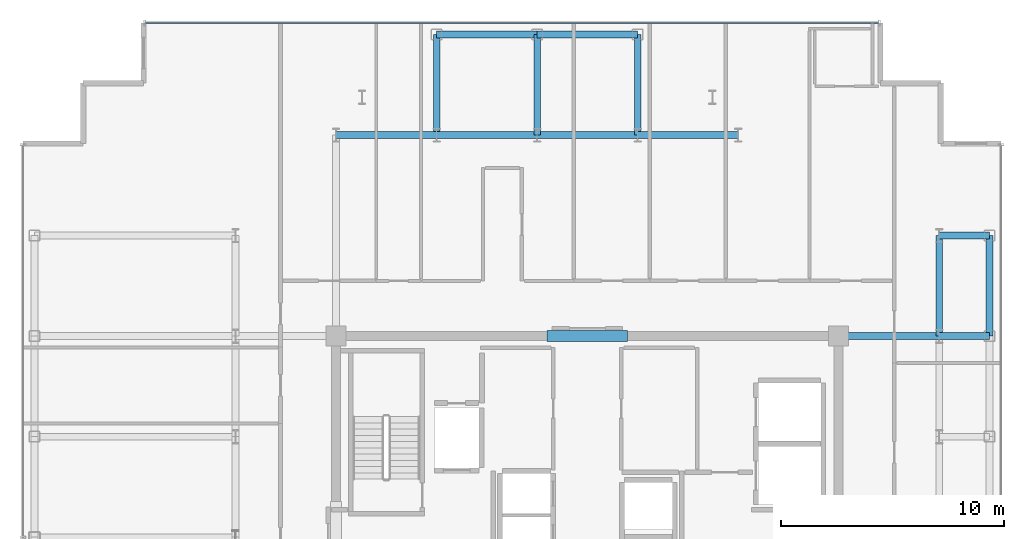
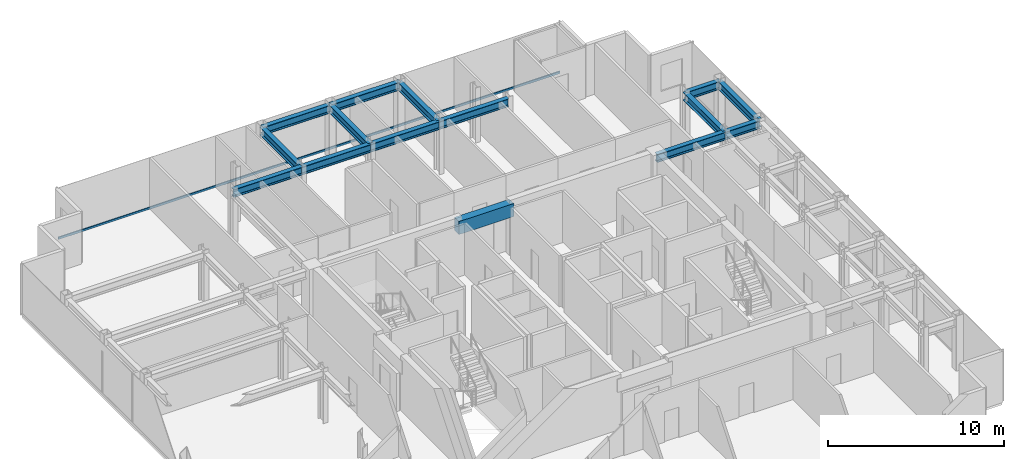
# One storey, part 10 of 17: 15 beams, 1 member, 1 element without a shape of its own.
"""IFC4 building model written with IfcOpenShell, lengths in metres."""

from ifc_helpers import new_model, si_unit, direction, frame, origin, origin_2d, place, context, subcontext, project, spatial, rectangle, hollow_rectangle, i_section, extrude, source, transform, mapped, material, layer, layer_set, material_profile, profile_set, type_object, element, aggregate, save


model = new_model("IFC4")

# Units and contexts
model_context = context("Model", 3, precision=1e-05, world=origin(), true_north=direction((0.0, 1.0)))
body_context = subcontext(model_context, "Body", "Model", "MODEL_VIEW")
ifc_project = project(units=[si_unit("LENGTHUNIT", "METRE"), si_unit("AREAUNIT", "SQUARE_METRE"), si_unit("VOLUMEUNIT", "CUBIC_METRE"), si_unit("PLANEANGLEUNIT", "RADIAN"), si_unit("MASSUNIT", "GRAM", prefix="KILO")], contexts=[model_context])

# Site, building, storey
site_placement = place(None, origin())
site = spatial("IfcSite", under=ifc_project, at=site_placement, CompositionType="ELEMENT")
building_placement = place(site_placement, origin())
building = spatial("IfcBuilding", under=site, at=building_placement, Name="Nefas-Gora Pilgrimage Tower", CompositionType="ELEMENT")
storey_placement = place(building_placement, frame((0.0, 0.0, 341.39990234375)))
storey = spatial("IfcBuildingStorey", under=building, at=storey_placement, Name="L86", CompositionType="ELEMENT", Elevation=341.39990234375)

# Beams
ifc_material_1 = material(Name="Concrete C50/60", Category="concrete")
ifc_material_profile_1 = material_profile(ifc_material_1, rectangle(XDim=0.5, YDim=0.89990234375, at=origin_2d()), Name="RC 500x900")
ifc_profile_set_1 = profile_set([ifc_material_profile_1], Name="Concrete C50/60")
beam_type_1 = type_object("IfcBeamType", Name="BM-LIN-RC900", PredefinedType="LINTEL", material=ifc_profile_set_1)
shared_shape_1 = source(origin(), body_context, "Body", "SweptSolid", [
    extrude(rectangle(XDim=0.5, YDim=0.89990234375, at=origin_2d()), origin(), (0.0, 0.0, 1.0), 3.60009765625),
])
beam_placement = place(storey_placement, frame((-1.800048828125, 9.0, 3.10009765625), z_axis=(1.0, 0.0, 0.0), x_axis=(0.0, 1.0, 0.0)))
element("IfcBeam", 1, at=beam_placement, inside=storey, type_object=beam_type_1, Name="L86 Core Coupling Lintel Beam N", PredefinedType="LINTEL", context=body_context, shape_type="MappedRepresentation", body=[
    mapped(shared_shape_1, transform((0.0, 0.0, 0.0), x_axis=(1.0, 0.0, 0.0), y_axis=(0.0, 1.0, 0.0), z_axis=(0.0, 0.0, 1.0), scale=1.0)),
])
ifc_material_2 = material(Name="Steel S355", Category="steel")
ifc_material_profile_2 = material_profile(ifc_material_2, i_section(OverallWidth=0.300048828125, OverallDepth=0.550048828125, WebThickness=0.014892578125, FlangeThickness=0.029052734375, FilletRadius=0.027099609375, at=origin_2d()), Name="HEB 550")
ifc_profile_set_2 = profile_set([ifc_material_profile_2], Name="Steel S355")
beam_type_2 = type_object("IfcBeamType", Name="BM-SPN-HEB400", PredefinedType="SPANDREL", material=ifc_profile_set_2)
shared_shape_2 = source(origin(), body_context, "Body", "SweptSolid", [
    extrude(i_section(OverallWidth=0.300048828125, OverallDepth=0.550048828125, WebThickness=0.014892578125, FlangeThickness=0.029052734375, FilletRadius=0.027099609375, at=origin_2d()), origin(), (0.0, 0.0, 1.0), 4.5),
])
for number, where, z_axis, x_axis, name in (
    (2, (-6.75, 22.5, 3.275146484375), (1.0, 0.0, 0.0), (0.0, 1.0, 0.0), "L86 SP-04 beam"),
    (3, (-2.25, 22.5, 3.275146484375), (1.0, 0.0, 0.0), (0.0, 1.0, 0.0), "L86 SP-04 beam"),
    (4, (18.0, 9.0, 3.275146484375), (0.0, 1.0, 0.0), (-1.0, 0.0, 0.0), "L86 SP-04 beam"),
):
    element("IfcBeam", number, at=place(storey_placement, frame(where, z_axis=z_axis, x_axis=x_axis)), inside=storey, type_object=beam_type_2, Name=name, PredefinedType="SPANDREL", context=body_context, shape_type="MappedRepresentation", body=[
        mapped(shared_shape_2, transform((0.0, 0.0, 0.0), x_axis=(1.0, 0.0, 0.0), y_axis=(0.0, 1.0, 0.0), z_axis=(0.0, 0.0, 1.0), scale=1.0)),
    ])
ifc_material_profile_3 = material_profile(ifc_material_2, i_section(OverallWidth=0.300048828125, OverallDepth=0.550048828125, WebThickness=0.014892578125, FlangeThickness=0.029052734375, FilletRadius=0.027099609375, at=origin_2d()), Name="HEB 550")
ifc_profile_set_3 = profile_set([ifc_material_profile_3], Name="Steel S355")
beam_type_3 = type_object("IfcBeamType", Name="BM-GIR-HEB550", PredefinedType="BEAM", material=ifc_profile_set_3)
shared_shape_3 = source(origin(), body_context, "Body", "SweptSolid", [
    extrude(i_section(OverallWidth=0.300048828125, OverallDepth=0.550048828125, WebThickness=0.014892578125, FlangeThickness=0.029052734375, FilletRadius=0.027099609375, at=origin_2d()), origin(), (0.0, 0.0, 1.0), 4.5),
])
for number, where, z_axis, x_axis, name in (
    (5, (-11.25, 18.0, 3.275146484375), (1.0, 0.0, 0.0), (0.0, 1.0, 0.0), "L86 G-05 beam"),
    (6, (-6.75, 18.0, 3.275146484375), (0.0, 1.0, 0.0), (-1.0, 0.0, 0.0), "L86 G-05 beam"),
    (7, (-6.75, 18.0, 3.275146484375), (1.0, 0.0, 0.0), (0.0, 1.0, 0.0), "L86 G-05 beam"),
    (8, (-2.25, 18.0, 3.275146484375), (0.0, 1.0, 0.0), (-1.0, 0.0, 0.0), "L86 G-05 beam"),
    (9, (-2.25, 18.0, 3.275146484375), (1.0, 0.0, 0.0), (0.0, 1.0, 0.0), "L86 G-05 beam"),
    (10, (2.25, 18.0, 3.275146484375), (0.0, 1.0, 0.0), (-1.0, 0.0, 0.0), "L86 G-05 beam"),
    (11, (2.25, 18.0, 3.275146484375), (1.0, 0.0, 0.0), (0.0, 1.0, 0.0), "L86 G-05 beam"),
    (12, (11.25, 9.0, 3.275146484375), (1.0, 0.0, 0.0), (0.0, 1.0, 0.0), "L86 G-05 beam"),
    (13, (15.75, 9.0, 3.275146484375), (0.0, 1.0, 0.0), (-1.0, 0.0, 0.0), "L86 G-05 beam"),
):
    element("IfcBeam", number, at=place(storey_placement, frame(where, z_axis=z_axis, x_axis=x_axis)), inside=storey, type_object=beam_type_3, Name=name, PredefinedType="BEAM", context=body_context, shape_type="MappedRepresentation", body=[
        mapped(shared_shape_3, transform((0.0, 0.0, 0.0), x_axis=(1.0, 0.0, 0.0), y_axis=(0.0, 1.0, 0.0), z_axis=(0.0, 0.0, 1.0), scale=1.0)),
    ])
shared_shape_4 = source(origin(), body_context, "Body", "SweptSolid", [
    extrude(i_section(OverallWidth=0.300048828125, OverallDepth=0.550048828125, WebThickness=0.014892578125, FlangeThickness=0.029052734375, FilletRadius=0.027099609375, at=origin_2d()), origin(), (0.0, 0.0, 1.0), 2.25),
])
for number, where, z_axis, x_axis, name in (
    (14, (15.75, 9.0, 3.275146484375), (1.0, 0.0, 0.0), (0.0, 1.0, 0.0), "L86 G-05 beam"),
    (15, (15.75, 13.5, 3.275146484375), (1.0, 0.0, 0.0), (0.0, 1.0, 0.0), "L86 G-05 beam"),
):
    element("IfcBeam", number, at=place(storey_placement, frame(where, z_axis=z_axis, x_axis=x_axis)), inside=storey, type_object=beam_type_3, Name=name, PredefinedType="BEAM", context=body_context, shape_type="MappedRepresentation", body=[
        mapped(shared_shape_4, transform((0.0, 0.0, 0.0), x_axis=(1.0, 0.0, 0.0), y_axis=(0.0, 1.0, 0.0), z_axis=(0.0, 0.0, 1.0), scale=1.0)),
    ])

# Curtain wall, member
ifc_material_3 = material(Name="Dark ceramic-fritted solar-control aluminium-glass curtain wall", Category="aluminium")
ifc_layer = layer(ifc_material_3, 0.219970703125)
ifc_layer_set = layer_set([ifc_layer], Name="Dark ceramic-fritted solar-control aluminium-glass curtain wall")
curtain_wall_type = type_object("IfcCurtainWallType", Name="CW-SYS-4", PredefinedType="NOTDEFINED", material=ifc_layer_set)
curtain_wall_placement = place(storey_placement, origin())
curtain_wall = element("IfcCurtainWall", 16, at=curtain_wall_placement, inside=storey, type_object=curtain_wall_type, Name="L86 Unitised Curtain Wall CW4", PredefinedType="NOTDEFINED")
ifc_material_4 = material(Name="Anodised architectural aluminium", Category="aluminium")
ifc_material_profile_4 = material_profile(ifc_material_4, hollow_rectangle(XDim=0.080078125, YDim=0.159912109375, WallThickness=0.00439453125, InnerFilletRadius=0.00439453125, OuterFilletRadius=0.009033203125, at=origin_2d()), Name="ALU TRANSOM 80x160")
ifc_profile_set_4 = profile_set([ifc_material_profile_4], Name="Anodised architectural aluminium")
member_type = type_object("IfcMemberType", Name="CWM-TRN-4", PredefinedType="USERDEFINED", material=ifc_profile_set_4)
shared_shape_5 = source(origin(), body_context, "Body", "SweptSolid", [
    extrude(hollow_rectangle(XDim=0.080078125, YDim=0.159912109375, WallThickness=0.00439453125, InnerFilletRadius=0.00439453125, OuterFilletRadius=0.009033203125, at=origin_2d()), origin(), (0.0, 0.0, 1.0), 32.81005859375),
])
member_placement = place(storey_placement, frame((13.030029296875, 23.02001953125, 0.050048828125), z_axis=(-1.0, 0.0, 0.0), x_axis=(0.0, -1.0, 0.0)))
member = element("IfcMember", 17, at=member_placement, type_object=member_type, Name="CW4 Spandrel Transom", ObjectType="TRANSOM", PredefinedType="USERDEFINED", context=body_context, shape_type="MappedRepresentation", body=[
    mapped(shared_shape_5, transform((0.0, 0.0, 0.0), x_axis=(1.0, 0.0, 0.0), y_axis=(0.0, 1.0, 0.0), z_axis=(0.0, 0.0, 1.0), scale=1.0)),
])
aggregate(curtain_wall, [member])

save(model, "model.ifc")
